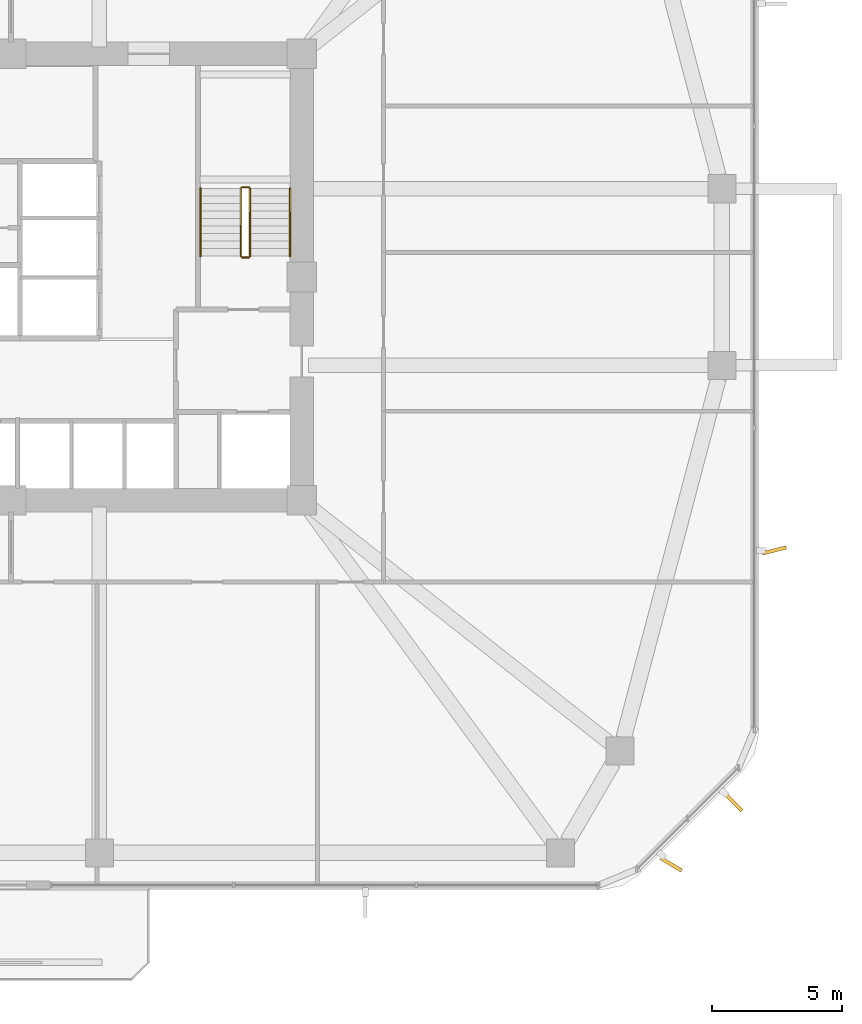
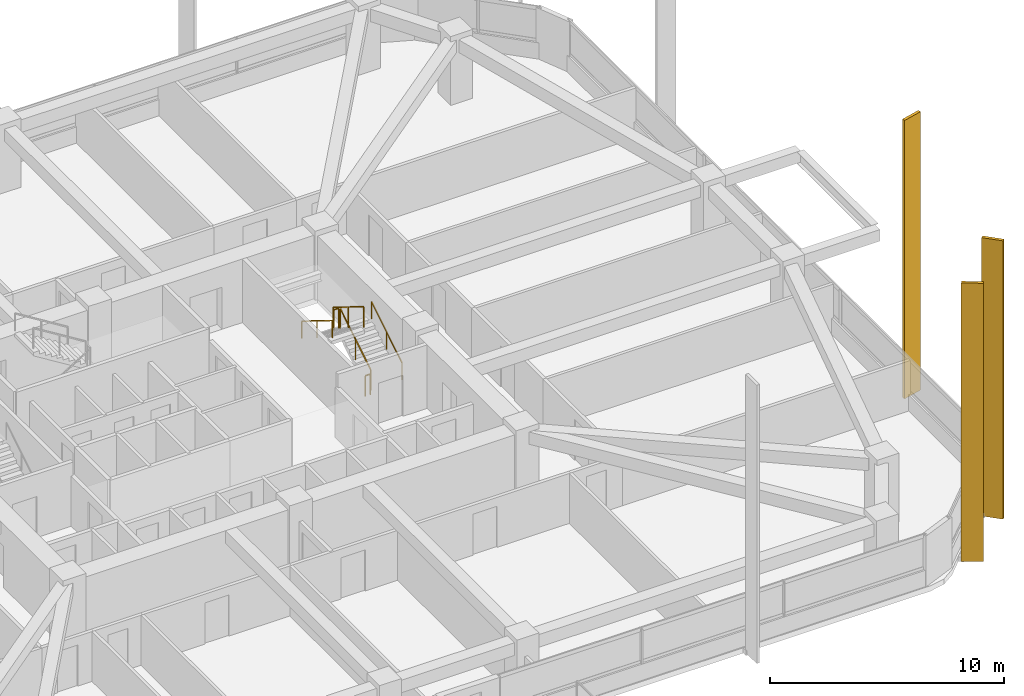
# One storey, part 15 of 17: 6 railings, 3 shading devices.
"""IFC4 building model written with IfcOpenShell, lengths in metres."""

from ifc_helpers import new_model, si_unit, derived_unit, direction, frame, origin, origin_2d, place, context, subcontext, project, spatial, rectangle, extrude, material, type_object, element, save


model = new_model("IFC4")

# Units and contexts
model_context = context("Model", 3, precision=1e-05, world=origin(), true_north=direction((0.0, 1.0)))
body_context = subcontext(model_context, "Body", "Model", "MODEL_VIEW")
ifc_project = project(units=[si_unit("LENGTHUNIT", "METRE"), si_unit("AREAUNIT", "SQUARE_METRE"), si_unit("VOLUMEUNIT", "CUBIC_METRE"), si_unit("PLANEANGLEUNIT", "RADIAN"), si_unit("MASSUNIT", "GRAM", prefix="KILO"), derived_unit("THERMALTRANSMITTANCEUNIT", [(si_unit("POWERUNIT", "WATT"), 1), (si_unit("LENGTHUNIT", "METRE"), -2), (si_unit("THERMODYNAMICTEMPERATUREUNIT", "KELVIN"), -1)])], contexts=[model_context])

# Site, building, storey
site_placement = place(None, origin())
site = spatial("IfcSite", under=ifc_project, at=site_placement, CompositionType="ELEMENT")
building_placement = place(site_placement, origin())
building = spatial("IfcBuilding", under=site, at=building_placement, Name="Koralith Skygarden Medical Center", CompositionType="ELEMENT")
storey_placement = place(building_placement, frame((0.0, 0.0, 23.93994140625)))
storey = spatial("IfcBuildingStorey", under=building, at=storey_placement, Name="L05", CompositionType="ELEMENT", Elevation=23.93994140625)

# Shading devices
ifc_material_1 = material(Name="Aluminium 6063-T6", Category="aluminium")
shading_device_type = type_object("IfcShadingDeviceType", Name="Limestone-Clad Solar Storm Fin 950", PredefinedType="USERDEFINED", material=ifc_material_1)
for number, where, z_axis, x_axis, name in (
    (1, (62.422119140625, 3.280029296875, -0.2001953125), (0.0, 0.0, 1.0), (0.857167300702, -0.51503807491, 0.0), "L05 SE Harmonic Solar Storm Fin 1"),
    (2, (64.820068359375, 5.677978515625, -0.2001953125), (0.0, 0.0, 1.0), (0.707378238567, -0.706835219554, 0.0), "L05 SE Harmonic Solar Storm Fin 2"),
    (3, (66.39501953125, 15.3701171875, -0.2001953125), (0.0, 0.0, 1.0), (0.970295726276, 0.2419218956, 0.0), "L05 E Harmonic Solar Storm Fin 1"),
):
    element("IfcShadingDevice", number, at=place(storey_placement, frame(where, z_axis=z_axis, x_axis=x_axis)), inside=storey, type_object=shading_device_type, Name=name, ObjectType="SOLAR FIN", PredefinedType="USERDEFINED", context=body_context, shape_type="SweptSolid", body=[
        extrude(rectangle(XDim=0.949951171875, YDim=0.139892578125, at=origin_2d()), origin(), (0.0, 0.0, 1.0), 14.550048828125),
    ])

# Railings
ifc_material_2 = material(Name="Steel ASTM A500 Grade C", Category="steel")
railing_type_1 = type_object("IfcRailingType", Name="Stair Flight Tubular Handrail 920", PredefinedType="HANDRAIL", material=ifc_material_2)
railing_1_placement = place(storey_placement, frame((47.75, 26.699951171875, 0.18017578125)))
element("IfcRailing", 4, at=railing_1_placement, inside=storey, type_object=railing_type_1, Name="L05 ST2 stair handrail 1", PredefinedType="HANDRAIL", context=body_context, shape_type="SweptSolid", body=[
    extrude(rectangle(XDim=0.050048828125, YDim=0.050048828125, at=origin_2d()), frame((0.0, 0.001708984375, 0.89599609375), z_axis=(0.0, 0.849668407637, 0.527317358963), x_axis=(-1.0, 0.0, 0.0)), (0.0, 0.0, 1.0), 3.06787109375),
    extrude(rectangle(XDim=0.0419921875, YDim=0.0419921875, at=origin_2d()), origin(), (0.0, 0.0, 1.0), 0.867919921875),
    extrude(rectangle(XDim=0.0419921875, YDim=0.0419921875, at=origin_2d()), frame((0.0, 1.30517578125, 0.81005859375)), (0.0, 0.0, 1.0), 0.867919921875),
    extrude(rectangle(XDim=0.0419921875, YDim=0.0419921875, at=origin_2d()), frame((0.0, 2.610107421875, 1.619873046875)), (0.0, 0.0, 1.0), 0.867919921875),
])
railing_2_placement = place(storey_placement, frame((44.300048828125, 29.31005859375, 1.97998046875)))
element("IfcRailing", 5, at=railing_2_placement, inside=storey, type_object=railing_type_1, Name="L05 ST2 stair handrail 2", PredefinedType="HANDRAIL", context=body_context, shape_type="SweptSolid", body=[
    extrude(rectangle(XDim=0.050048828125, YDim=0.050048828125, at=origin_2d()), frame((0.0, -0.001708984375, 0.89599609375), z_axis=(0.0, -0.849632798774, 0.527374731332), x_axis=(1.0, 0.0, 0.0)), (0.0, 0.0, 1.0), 3.068115234375),
    extrude(rectangle(XDim=0.0419921875, YDim=0.0419921875, at=origin_2d()), origin(), (0.0, 0.0, 1.0), 0.867919921875),
    extrude(rectangle(XDim=0.0419921875, YDim=0.0419921875, at=origin_2d()), frame((0.0, -1.30517578125, 0.81005859375)), (0.0, 0.0, 1.0), 0.867919921875),
    extrude(rectangle(XDim=0.0419921875, YDim=0.0419921875, at=origin_2d()), frame((0.0, -2.610107421875, 1.6201171875)), (0.0, 0.0, 1.0), 0.867919921875),
])
railing_type_2 = type_object("IfcRailingType", Name="Stair Well Safety Guardrail 1100", PredefinedType="GUARDRAIL", material=ifc_material_2)
railing_3_placement = place(storey_placement, frame((46.199951171875, 26.699951171875, 0.18017578125)))
element("IfcRailing", 6, at=railing_3_placement, inside=storey, type_object=railing_type_2, Name="L05 ST2 stair guard 1", PredefinedType="GUARDRAIL", context=body_context, shape_type="SweptSolid", body=[
    extrude(rectangle(XDim=0.050048828125, YDim=0.050048828125, at=origin_2d()), frame((0.0, 0.001708984375, 1.076171875), z_axis=(0.0, 0.849668407637, 0.527317358963), x_axis=(-1.0, 0.0, 0.0)), (0.0, 0.0, 1.0), 3.06787109375),
    extrude(rectangle(XDim=0.0419921875, YDim=0.0419921875, at=origin_2d()), origin(), (0.0, 0.0, 1.0), 1.048095703125),
    extrude(rectangle(XDim=0.0419921875, YDim=0.0419921875, at=origin_2d()), frame((0.0, 1.30517578125, 0.81005859375)), (0.0, 0.0, 1.0), 1.048095703125),
    extrude(rectangle(XDim=0.0419921875, YDim=0.0419921875, at=origin_2d()), frame((0.0, 2.610107421875, 1.619873046875)), (0.0, 0.0, 1.0), 1.048095703125),
])
railing_4_placement = place(storey_placement, frame((46.14990234375, 29.360107421875, 1.800048828125)))
element("IfcRailing", 7, at=railing_4_placement, inside=storey, type_object=railing_type_2, Name="L05 ST2 stair guard 2", PredefinedType="GUARDRAIL", context=body_context, shape_type="SweptSolid", body=[
    extrude(rectangle(XDim=0.050048828125, YDim=0.050048828125, at=origin_2d()), frame((-0.001953125, 0.0, 1.0751953125), z_axis=(-1.0, 0.0, 0.0), x_axis=(0.0, -1.0, 0.0)), (0.0, 0.0, 1.0), 0.24609375),
    extrude(rectangle(XDim=0.0419921875, YDim=0.0419921875, at=origin_2d()), origin(), (0.0, 0.0, 1.0), 1.048095703125),
    extrude(rectangle(XDim=0.0419921875, YDim=0.0419921875, at=origin_2d()), frame((-0.25, 0.0, 0.0)), (0.0, 0.0, 1.0), 1.048095703125),
])
railing_5_placement = place(storey_placement, frame((45.85009765625, 29.31005859375, 1.97998046875)))
element("IfcRailing", 8, at=railing_5_placement, inside=storey, type_object=railing_type_2, Name="L05 ST2 stair guard 3", PredefinedType="GUARDRAIL", context=body_context, shape_type="SweptSolid", body=[
    extrude(rectangle(XDim=0.050048828125, YDim=0.050048828125, at=origin_2d()), frame((0.0, -0.001708984375, 1.076171875), z_axis=(0.0, -0.849632798774, 0.527374731332), x_axis=(1.0, 0.0, 0.0)), (0.0, 0.0, 1.0), 3.068115234375),
    extrude(rectangle(XDim=0.0419921875, YDim=0.0419921875, at=origin_2d()), origin(), (0.0, 0.0, 1.0), 1.048095703125),
    extrude(rectangle(XDim=0.0419921875, YDim=0.0419921875, at=origin_2d()), frame((0.0, -1.30517578125, 0.81005859375)), (0.0, 0.0, 1.0), 1.048095703125),
    extrude(rectangle(XDim=0.0419921875, YDim=0.0419921875, at=origin_2d()), frame((0.0, -2.610107421875, 1.6201171875)), (0.0, 0.0, 1.0), 1.048095703125),
])
railing_6_placement = place(storey_placement, frame((46.14990234375, 26.64990234375, 0.0)))
element("IfcRailing", 9, at=railing_6_placement, inside=storey, type_object=railing_type_2, Name="L05 ST2 stair guard 4", PredefinedType="GUARDRAIL", context=body_context, shape_type="SweptSolid", body=[
    extrude(rectangle(XDim=0.050048828125, YDim=0.050048828125, at=origin_2d()), frame((-0.001953125, 0.0, 1.0751953125), z_axis=(-1.0, 0.0, 0.0), x_axis=(0.0, -1.0, 0.0)), (0.0, 0.0, 1.0), 0.24609375),
    extrude(rectangle(XDim=0.0419921875, YDim=0.0419921875, at=origin_2d()), origin(), (0.0, 0.0, 1.0), 1.048095703125),
    extrude(rectangle(XDim=0.0419921875, YDim=0.0419921875, at=origin_2d()), frame((-0.25, 0.0, 0.0)), (0.0, 0.0, 1.0), 1.048095703125),
])

save(model, "model.ifc")
